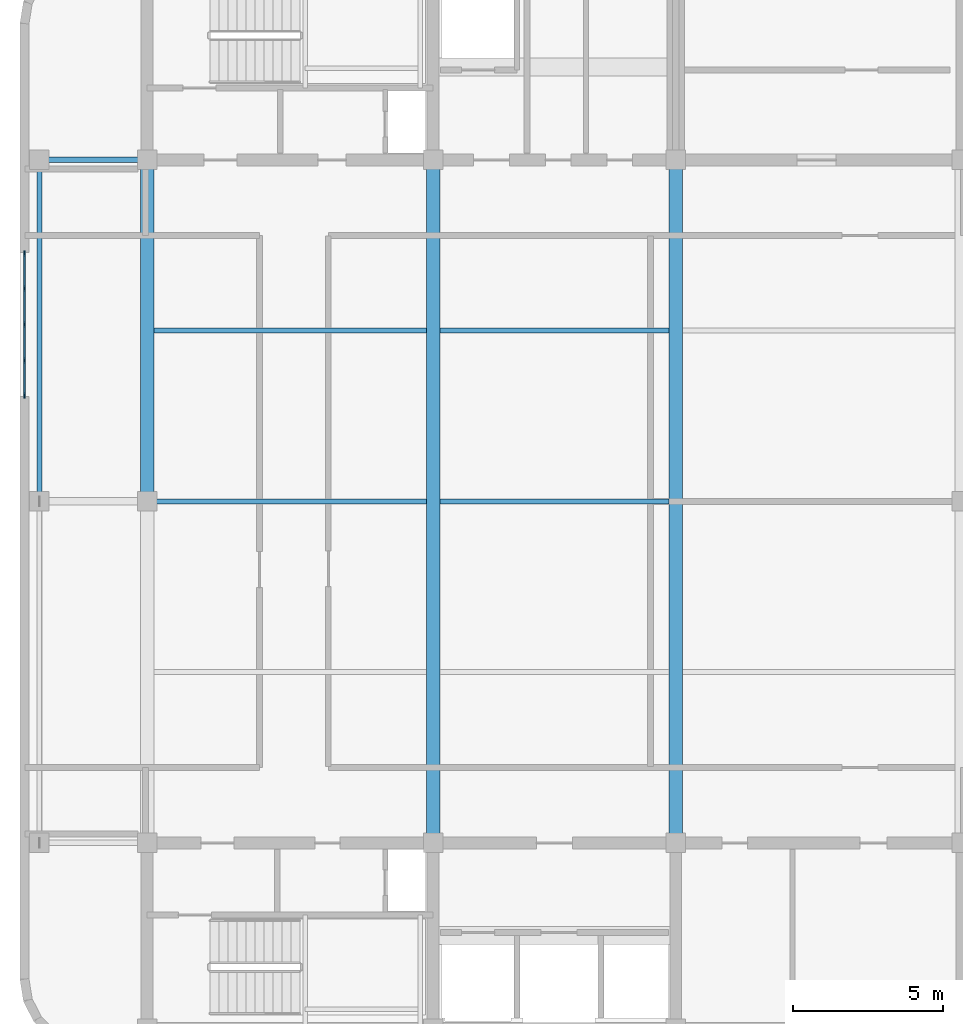
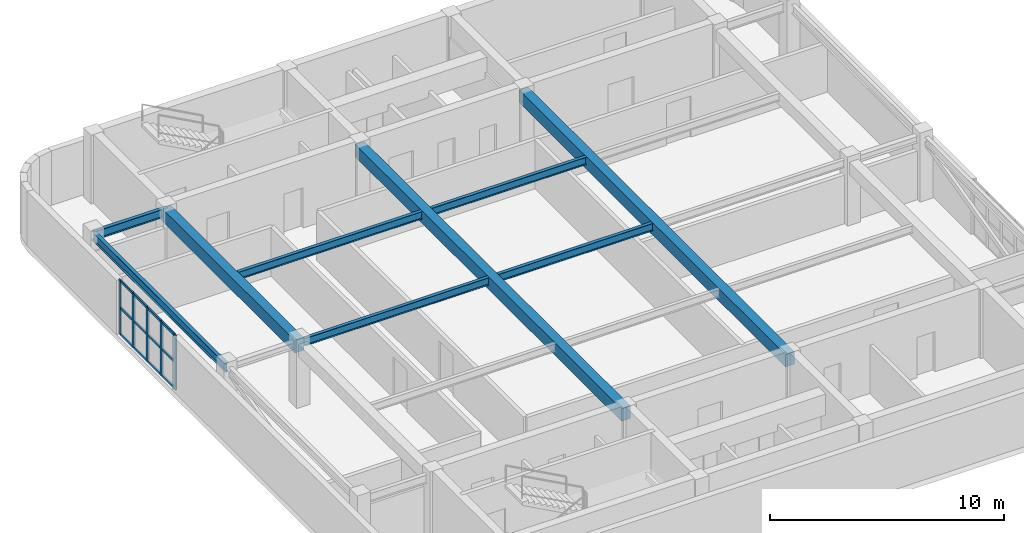
# One storey, part 2 of 9: 17 members, 9 beams, 1 element without a shape of its own.
"""IFC4 building model written with IfcOpenShell, lengths in metres."""

import ifcopenshell
import ifcopenshell.guid

model = None  # the IFC model being written
_history = None  # IfcOwnerHistory: only IFC2X3 demands one
_inside = {}  # id of a spatial element -> (the spatial element, [elements in it])
_under = {}  # id of a project, library or spatial element -> (it, [spatial elements below it])
_declared = {}  # id of a project -> (the project, [libraries it declares])
_typed = {}  # id of a type object -> (the type object, [elements of that type])
_made_of = {}  # id of a material, layer set ... -> (it, [elements and type objects made of it])


def new_model(schema):
    """Start an empty IFC model of exactly this schema.

    Asked for "IFC4X3", IfcOpenShell would pick the latest addendum, in which some entities
    have other attributes; the version numbers below select the first issue.
    IFC2X3 requires an IfcOwnerHistory on every rooted entity: one is made here for all.
    """
    global model, _history
    if schema == "IFC4X3":
        model = ifcopenshell.file(schema_version=(4, 3, 0, 0))
    else:
        model = ifcopenshell.file(schema=schema)
    _inside.clear()
    _under.clear()
    _declared.clear()
    _typed.clear()
    _made_of.clear()
    _history = None
    if model.schema == "IFC2X3":
        org = make("IfcOrganization", Name="unknown")
        user = make(
            "IfcPersonAndOrganization",
            ThePerson=make("IfcPerson", FamilyName="unknown"),
            TheOrganization=org,
        )
        app = make(
            "IfcApplication",
            ApplicationDeveloper=org,
            Version="unknown",
            ApplicationFullName="unknown",
            ApplicationIdentifier="unknown",
        )
        _history = make(
            "IfcOwnerHistory",
            OwningUser=user,
            OwningApplication=app,
            ChangeAction="ADDED",
            CreationDate=0,
        )
    return model


def make(cls, **values):
    """One entity of the class cls with the attributes given. An attribute that is None is left unset."""
    return model.create_entity(
        cls, **{name: value for name, value in values.items() if value is not None}
    )


def rooted(cls, **values):
    """An entity with a GlobalId (a new one), such as an element, a storey or a relation."""
    return make(cls, GlobalId=ifcopenshell.guid.new(), OwnerHistory=_history, **values)


def si_unit(unit_type, name, prefix=None):
    """IfcSIUnit, for example si_unit("LENGTHUNIT", "METRE", prefix="MILLI")."""
    return make("IfcSIUnit", UnitType=unit_type, Prefix=prefix, Name=name)


def assignment(units):
    """IfcUnitAssignment: the units of a project."""
    return None if units is None else make("IfcUnitAssignment", Units=units)


def point(xyz):
    """IfcCartesianPoint."""
    return None if xyz is None else make("IfcCartesianPoint", Coordinates=xyz)


def direction(xyz):
    """IfcDirection."""
    return None if xyz is None else make("IfcDirection", DirectionRatios=xyz)


def frame(location, z_axis=None, x_axis=None):
    """IfcAxis2Placement3D, a coordinate frame: its origin and axes. An axis left out is left unset."""
    return make(
        "IfcAxis2Placement3D",
        Location=point(location),
        Axis=direction(z_axis),
        RefDirection=direction(x_axis),
    )


def frame_2d(location, x_axis=None):
    """IfcAxis2Placement2D, a coordinate frame in the plane: its origin and x axis."""
    return make(
        "IfcAxis2Placement2D", Location=point(location), RefDirection=direction(x_axis)
    )


def origin():
    """The frame at (0, 0, 0) with its axes left unset."""
    return frame((0.0, 0.0, 0.0))


def origin_2d():
    """The frame at (0, 0) in the plane with its x axis left unset."""
    return frame_2d((0.0, 0.0))


def place(relative_to, where):
    """IfcLocalPlacement: puts the frame where relative to a parent placement (None: the world)."""
    return make(
        "IfcLocalPlacement", PlacementRelTo=relative_to, RelativePlacement=where
    )


def context(
    kind, dimensions, precision=None, world=None, true_north=None, identifier=None
):
    """IfcGeometricRepresentationContext, for example the 3D "Model" context."""
    return make(
        "IfcGeometricRepresentationContext",
        ContextIdentifier=identifier,
        ContextType=kind,
        CoordinateSpaceDimension=dimensions,
        Precision=precision,
        WorldCoordinateSystem=world,
        TrueNorth=true_north,
    )


def subcontext(parent, identifier, kind, view, scale=None):
    """IfcGeometricRepresentationSubContext, for example "Body" below "Model"."""
    return make(
        "IfcGeometricRepresentationSubContext",
        ContextIdentifier=identifier,
        ContextType=kind,
        ParentContext=parent,
        TargetScale=scale,
        TargetView=view,
    )


def project(units=None, contexts=None):
    """IfcProject with its units and contexts."""
    return rooted(
        "IfcProject",
        Name="project",
        RepresentationContexts=contexts,
        UnitsInContext=assignment(units),
    )


def spatial(cls, under=None, at=None, **own):
    """A site, building, storey or space (cls), placed at a placement, below another one or the project."""
    s = rooted(cls, ObjectPlacement=at, **own)
    if under is not None:
        _under.setdefault(under.id(), (under, []))[1].append(s)
    return s


def profile(cls, at=None, kind="AREA", **sizes):
    """A parametric profile (cls). Its sizes go by their IFC names, for example OverallWidth=200.0."""
    return make(cls, ProfileType=kind, Position=at, **sizes)


def rectangle(**sizes):
    """IfcRectangleProfileDef."""
    return profile("IfcRectangleProfileDef", **sizes)


def i_section(**sizes):
    """IfcIShapeProfileDef."""
    return profile("IfcIShapeProfileDef", **sizes)


def extrude(swept, where, along, depth):
    """IfcExtrudedAreaSolid: the profile swept, set in the frame where, extruded along a direction by depth."""
    return make(
        "IfcExtrudedAreaSolid",
        SweptArea=swept,
        Position=where,
        ExtrudedDirection=direction(along),
        Depth=depth,
    )


def shape(context_of_items, identifier, shape_type, items):
    """IfcShapeRepresentation: the items that make up one representation, for example the "Body"."""
    return make(
        "IfcShapeRepresentation",
        ContextOfItems=context_of_items,
        RepresentationIdentifier=identifier,
        RepresentationType=shape_type,
        Items=items,
    )


def material(Name=None, Category=None):
    """IfcMaterial."""
    return make("IfcMaterial", Name=Name, Category=Category)


def material_profile(
    of_material, cross_section, Name=None, Category=None, Priority=None
):
    """IfcMaterialProfile: a cross section and its material."""
    return make(
        "IfcMaterialProfile",
        Name=Name,
        Material=of_material,
        Profile=cross_section,
        Priority=Priority,
        Category=Category,
    )


def profile_set(profiles, Name=None, composite=None):
    """IfcMaterialProfileSet."""
    return make(
        "IfcMaterialProfileSet",
        Name=Name,
        MaterialProfiles=profiles,
        CompositeProfile=composite,
    )


def made_of(thing, what):
    """Note that an element or type object is made of a material, layer set ...; save() writes the relation."""
    if what is not None:
        _made_of.setdefault(what.id(), (what, []))[1].append(thing)
    return thing


def type_object(cls, material=None, **own):
    """A type object (cls), such as IfcWallType, which elements share."""
    return made_of(rooted(cls, **own), material)


def element(
    cls,
    number,
    at=None,
    inside=None,
    cuts=None,
    type_object=None,
    material=None,
    context=None,
    identifier="Body",
    shape_type=None,
    held_by="IfcProductDefinitionShape",
    body=None,
    shapes=None,
    **own,
):
    """One element of the class cls, such as IfcWall. Its Tag is "e" and its number.

    at: its placement. inside: the storey or other place that contains it. cuts: it is an
    opening in that element (IfcRelVoidsElement). A single representation is given by context,
    identifier, shape_type and body (its items); several are given by shapes. held_by: the class
    of the entity that holds the representations. save() writes the other relations.
    """
    e = rooted(cls, Tag="e%d" % number, ObjectPlacement=at, **own)
    if body is not None:
        shapes = [shape(context, identifier, shape_type, body)]
    if shapes is not None:
        e.Representation = make(held_by, Representations=shapes)
    if inside is not None:
        _inside.setdefault(inside.id(), (inside, []))[1].append(e)
    if cuts is not None:
        rooted(
            "IfcRelVoidsElement", RelatingBuildingElement=cuts, RelatedOpeningElement=e
        )
    if type_object is not None:
        _typed.setdefault(type_object.id(), (type_object, []))[1].append(e)
    return made_of(e, material)


def aggregate(whole, parts):
    """IfcRelAggregates: a whole, such as a stair, and the parts it consists of."""
    return rooted("IfcRelAggregates", RelatingObject=whole, RelatedObjects=parts)


def save(model, path):
    """Write the relations noted so far, then the file.

    IfcRelAggregates (storeys below a building ...), IfcRelContainedInSpatialStructure (elements
    in a storey), IfcRelDefinesByType, IfcRelAssociatesMaterial and IfcRelDeclares: one each for
    every whole, place, type object, material and project.
    """
    for whole, parts in _under.values():
        aggregate(whole, parts)
    for where, things in _inside.values():
        rooted(
            "IfcRelContainedInSpatialStructure",
            RelatedElements=things,
            RelatingStructure=where,
        )
    for kind, things in _typed.values():
        rooted("IfcRelDefinesByType", RelatedObjects=things, RelatingType=kind)
    for what, things in _made_of.values():
        rooted("IfcRelAssociatesMaterial", RelatedObjects=things, RelatingMaterial=what)
    for by, libraries in _declared.values():
        rooted("IfcRelDeclares", RelatingContext=by, RelatedDefinitions=libraries)
    model.write(path)


model = new_model("IFC4")

# Units and contexts
model_context = context("Model", 3, precision=1e-05, world=origin(), true_north=direction((0.0, 1.0)))
body_context = subcontext(model_context, "Body", "Model", "MODEL_VIEW")
ifc_project = project(units=[si_unit("LENGTHUNIT", "METRE"), si_unit("AREAUNIT", "SQUARE_METRE"), si_unit("VOLUMEUNIT", "CUBIC_METRE"), si_unit("PLANEANGLEUNIT", "RADIAN"), si_unit("MASSUNIT", "GRAM", prefix="KILO")], contexts=[model_context])

# Site, building, storey
site_placement = place(None, origin())
site = spatial("IfcSite", under=ifc_project, at=site_placement, CompositionType="ELEMENT")
building_placement = place(site_placement, origin())
building = spatial("IfcBuilding", under=site, at=building_placement, Name="Svetorya Sky Lyceum", CompositionType="ELEMENT")
storey_placement = place(building_placement, frame((0.0, 0.0, 312.800048828125)))
storey = spatial("IfcBuildingStorey", under=building, at=storey_placement, Name="C04", CompositionType="ELEMENT", Elevation=312.800048828125)

# Beams
ifc_material_1 = material(Name="Concrete C40/50", Category="concrete")
ifc_material_profile_1 = material_profile(ifc_material_1, rectangle(XDim=0.449951171875, YDim=0.64990234375, at=origin_2d()), Name="RC BEAM 450x650")
ifc_profile_set_1 = profile_set([ifc_material_profile_1], Name="Concrete C40/50")
beam_type_1 = type_object("IfcBeamType", Name="BM-RC-650", PredefinedType="BEAM", material=ifc_profile_set_1)
beam_1_placement = place(storey_placement, frame((25.60009765625, 28.199951171875, 2.994873046875), z_axis=(0.0, 1.0, 0.0), x_axis=(-1.0, 0.0, 0.0)))
element("IfcBeam", 1, at=beam_1_placement, inside=storey, type_object=beam_type_1, Name="C04 Central Bay Primary Girder CG-1B", PredefinedType="BEAM", context=body_context, shape_type="SweptSolid", body=[
    extrude(rectangle(XDim=0.449951171875, YDim=0.64990234375, at=origin_2d()), origin(), (0.0, 0.0, 1.0), 11.400146484375),
])
for number, where, z_axis, x_axis, name in (
    (2, (35.14990234375, 16.800048828125, 2.994873046875), (0.0, 1.0, 0.0), (-1.0, 0.0, 0.0), "C04 Central Bay Primary Girder CG-2"),
    (3, (43.25, 16.800048828125, 2.994873046875), (0.0, 1.0, 0.0), (-1.0, 0.0, 0.0), "C04 Central Bay Primary Girder CG-3"),
):
    element("IfcBeam", number, at=place(storey_placement, frame(where, z_axis=z_axis, x_axis=x_axis)), inside=storey, type_object=beam_type_1, Name=name, PredefinedType="BEAM", context=body_context, shape_type="SweptSolid", body=[
        extrude(rectangle(XDim=0.449951171875, YDim=0.64990234375, at=origin_2d()), origin(), (0.0, 0.0, 1.0), 22.800048828125),
    ])
ifc_material_2 = material(Name="Steel S355", Category="steel")
ifc_material_profile_2 = material_profile(ifc_material_2, i_section(OverallWidth=0.1650390625, OverallDepth=0.39990234375, WebThickness=0.008056640625, FlangeThickness=0.012939453125, at=origin_2d()), Name="GOST 40B2")
ifc_profile_set_2 = profile_set([ifc_material_profile_2], Name="Steel S355")
beam_type_2 = type_object("IfcBeamType", Name="BM-STL-40B2", PredefinedType="JOIST", material=ifc_profile_set_2)
beam_2_placement = place(storey_placement, frame((25.824951171875, 28.199951171875, 3.119873046875), z_axis=(1.0, 0.0, 0.0), x_axis=(0.0, 1.0, 0.0)))
element("IfcBeam", 4, at=beam_2_placement, inside=storey, type_object=beam_type_2, Name="C04 Central Floor Joist CJ-2.1", PredefinedType="JOIST", context=body_context, shape_type="SweptSolid", body=[
    extrude(i_section(OverallWidth=0.1650390625, OverallDepth=0.39990234375, WebThickness=0.008056640625, FlangeThickness=0.012939453125, at=origin_2d()), origin(), (0.0, 0.0, 1.0), 9.10009765625),
])
beam_3_placement = place(storey_placement, frame((35.375, 28.199951171875, 3.119873046875), z_axis=(1.0, 0.0, 0.0), x_axis=(0.0, 1.0, 0.0)))
element("IfcBeam", 5, at=beam_3_placement, inside=storey, type_object=beam_type_2, Name="C04 Central Floor Joist CJ-2.2", PredefinedType="JOIST", context=body_context, shape_type="SweptSolid", body=[
    extrude(i_section(OverallWidth=0.1650390625, OverallDepth=0.39990234375, WebThickness=0.008056640625, FlangeThickness=0.012939453125, at=origin_2d()), origin(), (0.0, 0.0, 1.0), 7.64990234375),
])
beam_4_placement = place(storey_placement, frame((25.824951171875, 33.89990234375, 3.119873046875), z_axis=(1.0, 0.0, 0.0), x_axis=(0.0, 1.0, 0.0)))
element("IfcBeam", 6, at=beam_4_placement, inside=storey, type_object=beam_type_2, Name="C04 Central Floor Joist CJ-3.1", PredefinedType="JOIST", context=body_context, shape_type="SweptSolid", body=[
    extrude(i_section(OverallWidth=0.1650390625, OverallDepth=0.39990234375, WebThickness=0.008056640625, FlangeThickness=0.012939453125, at=origin_2d()), origin(), (0.0, 0.0, 1.0), 9.10009765625),
])
beam_5_placement = place(storey_placement, frame((35.375, 33.89990234375, 3.119873046875), z_axis=(1.0, 0.0, 0.0), x_axis=(0.0, 1.0, 0.0)))
element("IfcBeam", 7, at=beam_5_placement, inside=storey, type_object=beam_type_2, Name="C04 Central Floor Joist CJ-3.2", PredefinedType="JOIST", context=body_context, shape_type="SweptSolid", body=[
    extrude(i_section(OverallWidth=0.1650390625, OverallDepth=0.39990234375, WebThickness=0.008056640625, FlangeThickness=0.012939453125, at=origin_2d()), origin(), (0.0, 0.0, 1.0), 7.64990234375),
])
ifc_material_profile_3 = material_profile(ifc_material_2, i_section(OverallWidth=0.179931640625, OverallDepth=0.449951171875, WebThickness=0.009033203125, FlangeThickness=0.014404296875, at=origin_2d()), Name="GOST 45B2")
ifc_profile_set_3 = profile_set([ifc_material_profile_3], Name="Steel S355")
beam_type_3 = type_object("IfcBeamType", Name="BM-STL-45B2", PredefinedType="SPANDREL", material=ifc_profile_set_3)
beam_6_placement = place(storey_placement, frame((22.010009765625, 39.60009765625, 3.094970703125), z_axis=(1.0, 0.0, 0.0), x_axis=(0.0, 1.0, 0.0)))
element("IfcBeam", 8, at=beam_6_placement, inside=storey, type_object=beam_type_3, Name="C04 Tie Spandrel NW", PredefinedType="SPANDREL", context=body_context, shape_type="SweptSolid", body=[
    extrude(i_section(OverallWidth=0.179931640625, OverallDepth=0.449951171875, WebThickness=0.009033203125, FlangeThickness=0.014404296875, at=origin_2d()), origin(), (0.0, 0.0, 1.0), 3.590087890625),
])
beam_7_placement = place(storey_placement, frame((22.010009765625, 28.199951171875, 3.094970703125), z_axis=(0.0, 1.0, 0.0), x_axis=(-1.0, 0.0, 0.0)))
element("IfcBeam", 9, at=beam_7_placement, inside=storey, type_object=beam_type_3, Name="C04 West Spandrel 2", PredefinedType="SPANDREL", context=body_context, shape_type="SweptSolid", body=[
    extrude(i_section(OverallWidth=0.179931640625, OverallDepth=0.449951171875, WebThickness=0.009033203125, FlangeThickness=0.014404296875, at=origin_2d()), origin(), (0.0, 0.0, 1.0), 11.400146484375),
])

# Curtain wall, members
ifc_material_3 = material(Name="Thermally broken anodized aluminium and triple low-E glass", Category="aluminium")
curtain_wall_type = type_object("IfcCurtainWallType", Name="CW5-LVR-PLT", PredefinedType="NOTDEFINED", material=ifc_material_3)
curtain_wall_placement = place(storey_placement, origin())
curtain_wall = element("IfcCurtainWall", 10, at=curtain_wall_placement, inside=storey, type_object=curtain_wall_type, Name="C04 Acoustic Plant Louvre Curtain Wall 24", PredefinedType="NOTDEFINED")
ifc_material_4 = material(Name="Thermally broken anodized aluminium EN AW-6060", Category="aluminium")
ifc_material_profile_4 = material_profile(ifc_material_4, rectangle(XDim=0.06494140625, YDim=0.179931640625, at=origin_2d()), Name="ALU MULLION 65x180")
ifc_profile_set_4 = profile_set([ifc_material_profile_4], Name="Thermally broken anodized aluminium EN AW-6060")
member_type_1 = type_object("IfcMemberType", Name="CWM-MUL-180", PredefinedType="MULLION", material=ifc_profile_set_4)
member_1_placement = place(storey_placement, frame((21.510009765625, 36.467529296875, 0.0), z_axis=(0.0, 0.0, 1.0), x_axis=(1.0, 0.0, 0.0)))
member_1 = element("IfcMember", 11, at=member_1_placement, type_object=member_type_1, Name="CW-5 mullion 1", PredefinedType="MULLION", context=body_context, shape_type="SweptSolid", body=[
    extrude(rectangle(XDim=0.06494140625, YDim=0.179931640625, at=origin_2d()), origin(), (0.0, 0.0, 1.0), 2.83984375),
])
member_2_placement = place(storey_placement, frame((21.510009765625, 35.300048828125, 0.0), z_axis=(0.0, 0.0, 1.0), x_axis=(1.0, 0.0, 0.0)))
member_2 = element("IfcMember", 12, at=member_2_placement, type_object=member_type_1, Name="CW-5 mullion 2", PredefinedType="MULLION", context=body_context, shape_type="SweptSolid", body=[
    extrude(rectangle(XDim=0.06494140625, YDim=0.179931640625, at=origin_2d()), origin(), (0.0, 0.0, 1.0), 2.83984375),
])
member_3_placement = place(storey_placement, frame((21.510009765625, 34.10009765625, 0.0), z_axis=(0.0, 0.0, 1.0), x_axis=(1.0, 0.0, 0.0)))
member_3 = element("IfcMember", 13, at=member_3_placement, type_object=member_type_1, Name="CW-5 mullion 3", PredefinedType="MULLION", context=body_context, shape_type="SweptSolid", body=[
    extrude(rectangle(XDim=0.06494140625, YDim=0.179931640625, at=origin_2d()), origin(), (0.0, 0.0, 1.0), 2.83984375),
])
member_4_placement = place(storey_placement, frame((21.510009765625, 32.89990234375, 0.0), z_axis=(0.0, 0.0, 1.0), x_axis=(1.0, 0.0, 0.0)))
member_4 = element("IfcMember", 14, at=member_4_placement, type_object=member_type_1, Name="CW-5 mullion 4", PredefinedType="MULLION", context=body_context, shape_type="SweptSolid", body=[
    extrude(rectangle(XDim=0.06494140625, YDim=0.179931640625, at=origin_2d()), origin(), (0.0, 0.0, 1.0), 2.83984375),
])
member_5_placement = place(storey_placement, frame((21.510009765625, 31.732421875, 0.0), z_axis=(0.0, 0.0, 1.0), x_axis=(1.0, 0.0, 0.0)))
member_5 = element("IfcMember", 15, at=member_5_placement, type_object=member_type_1, Name="CW-5 mullion 5", PredefinedType="MULLION", context=body_context, shape_type="SweptSolid", body=[
    extrude(rectangle(XDim=0.06494140625, YDim=0.179931640625, at=origin_2d()), origin(), (0.0, 0.0, 1.0), 2.83984375),
])
ifc_material_profile_5 = material_profile(ifc_material_4, rectangle(XDim=0.06494140625, YDim=0.139892578125, at=origin_2d()), Name="ALU TRANSOM 65x140")
ifc_profile_set_5 = profile_set([ifc_material_profile_5], Name="Thermally broken anodized aluminium EN AW-6060")
member_type_2 = type_object("IfcMemberType", Name="CWM-TRN-140", PredefinedType="USERDEFINED", material=ifc_profile_set_5)
member_6_placement = place(storey_placement, frame((21.510009765625, 36.4365234375, 0.032470703125), z_axis=(0.0, -1.0, 0.0), x_axis=(1.0, 0.0, 0.0)))
member_6 = element("IfcMember", 16, at=member_6_placement, type_object=member_type_2, Name="CW-5 transom 1.1", ObjectType="TRANSOM", PredefinedType="USERDEFINED", context=body_context, shape_type="SweptSolid", body=[
    extrude(rectangle(XDim=0.06494140625, YDim=0.139892578125, at=origin_2d()), origin(), (0.0, 0.0, 1.0), 1.10546875),
])
member_7_placement = place(storey_placement, frame((21.510009765625, 36.4365234375, 1.419921875), z_axis=(0.0, -1.0, 0.0), x_axis=(1.0, 0.0, 0.0)))
member_7 = element("IfcMember", 17, at=member_7_placement, type_object=member_type_2, Name="CW-5 transom 1.2", ObjectType="TRANSOM", PredefinedType="USERDEFINED", context=body_context, shape_type="SweptSolid", body=[
    extrude(rectangle(XDim=0.06494140625, YDim=0.139892578125, at=origin_2d()), origin(), (0.0, 0.0, 1.0), 1.10546875),
])
member_8_placement = place(storey_placement, frame((21.510009765625, 36.4365234375, 2.807373046875), z_axis=(0.0, -1.0, 0.0), x_axis=(1.0, 0.0, 0.0)))
member_8 = element("IfcMember", 18, at=member_8_placement, type_object=member_type_2, Name="CW-5 transom 1.3", ObjectType="TRANSOM", PredefinedType="USERDEFINED", context=body_context, shape_type="SweptSolid", body=[
    extrude(rectangle(XDim=0.06494140625, YDim=0.139892578125, at=origin_2d()), origin(), (0.0, 0.0, 1.0), 1.10546875),
])
member_9_placement = place(storey_placement, frame((21.510009765625, 35.26904296875, 0.032470703125), z_axis=(0.0, -1.0, 0.0), x_axis=(1.0, 0.0, 0.0)))
member_9 = element("IfcMember", 19, at=member_9_placement, type_object=member_type_2, Name="CW-5 transom 2.1", ObjectType="TRANSOM", PredefinedType="USERDEFINED", context=body_context, shape_type="SweptSolid", body=[
    extrude(rectangle(XDim=0.06494140625, YDim=0.139892578125, at=origin_2d()), origin(), (0.0, 0.0, 1.0), 1.137939453125),
])
member_10_placement = place(storey_placement, frame((21.510009765625, 35.26904296875, 1.419921875), z_axis=(0.0, -1.0, 0.0), x_axis=(1.0, 0.0, 0.0)))
member_10 = element("IfcMember", 20, at=member_10_placement, type_object=member_type_2, Name="CW-5 transom 2.2", ObjectType="TRANSOM", PredefinedType="USERDEFINED", context=body_context, shape_type="SweptSolid", body=[
    extrude(rectangle(XDim=0.06494140625, YDim=0.139892578125, at=origin_2d()), origin(), (0.0, 0.0, 1.0), 1.137939453125),
])
member_11_placement = place(storey_placement, frame((21.510009765625, 35.26904296875, 2.807373046875), z_axis=(0.0, -1.0, 0.0), x_axis=(1.0, 0.0, 0.0)))
member_11 = element("IfcMember", 21, at=member_11_placement, type_object=member_type_2, Name="CW-5 transom 2.3", ObjectType="TRANSOM", PredefinedType="USERDEFINED", context=body_context, shape_type="SweptSolid", body=[
    extrude(rectangle(XDim=0.06494140625, YDim=0.139892578125, at=origin_2d()), origin(), (0.0, 0.0, 1.0), 1.137939453125),
])
member_12_placement = place(storey_placement, frame((21.510009765625, 34.069091796875, 0.032470703125), z_axis=(0.0, -1.0, 0.0), x_axis=(1.0, 0.0, 0.0)))
member_12 = element("IfcMember", 22, at=member_12_placement, type_object=member_type_2, Name="CW-5 transom 3.1", ObjectType="TRANSOM", PredefinedType="USERDEFINED", context=body_context, shape_type="SweptSolid", body=[
    extrude(rectangle(XDim=0.06494140625, YDim=0.139892578125, at=origin_2d()), origin(), (0.0, 0.0, 1.0), 1.13818359375),
])
member_13_placement = place(storey_placement, frame((21.510009765625, 34.069091796875, 1.419921875), z_axis=(0.0, -1.0, 0.0), x_axis=(1.0, 0.0, 0.0)))
member_13 = element("IfcMember", 23, at=member_13_placement, type_object=member_type_2, Name="CW-5 transom 3.2", ObjectType="TRANSOM", PredefinedType="USERDEFINED", context=body_context, shape_type="SweptSolid", body=[
    extrude(rectangle(XDim=0.06494140625, YDim=0.139892578125, at=origin_2d()), origin(), (0.0, 0.0, 1.0), 1.13818359375),
])
member_14_placement = place(storey_placement, frame((21.510009765625, 34.069091796875, 2.807373046875), z_axis=(0.0, -1.0, 0.0), x_axis=(1.0, 0.0, 0.0)))
member_14 = element("IfcMember", 24, at=member_14_placement, type_object=member_type_2, Name="CW-5 transom 3.3", ObjectType="TRANSOM", PredefinedType="USERDEFINED", context=body_context, shape_type="SweptSolid", body=[
    extrude(rectangle(XDim=0.06494140625, YDim=0.139892578125, at=origin_2d()), origin(), (0.0, 0.0, 1.0), 1.13818359375),
])
member_15_placement = place(storey_placement, frame((21.510009765625, 32.868896484375, 0.032470703125), z_axis=(0.0, -1.0, 0.0), x_axis=(1.0, 0.0, 0.0)))
member_15 = element("IfcMember", 25, at=member_15_placement, type_object=member_type_2, Name="CW-5 transom 4.1", ObjectType="TRANSOM", PredefinedType="USERDEFINED", context=body_context, shape_type="SweptSolid", body=[
    extrude(rectangle(XDim=0.06494140625, YDim=0.139892578125, at=origin_2d()), origin(), (0.0, 0.0, 1.0), 1.10546875),
])
member_16_placement = place(storey_placement, frame((21.510009765625, 32.868896484375, 1.419921875), z_axis=(0.0, -1.0, 0.0), x_axis=(1.0, 0.0, 0.0)))
member_16 = element("IfcMember", 26, at=member_16_placement, type_object=member_type_2, Name="CW-5 transom 4.2", ObjectType="TRANSOM", PredefinedType="USERDEFINED", context=body_context, shape_type="SweptSolid", body=[
    extrude(rectangle(XDim=0.06494140625, YDim=0.139892578125, at=origin_2d()), origin(), (0.0, 0.0, 1.0), 1.10546875),
])
member_17_placement = place(storey_placement, frame((21.510009765625, 32.868896484375, 2.807373046875), z_axis=(0.0, -1.0, 0.0), x_axis=(1.0, 0.0, 0.0)))
member_17 = element("IfcMember", 27, at=member_17_placement, type_object=member_type_2, Name="CW-5 transom 4.3", ObjectType="TRANSOM", PredefinedType="USERDEFINED", context=body_context, shape_type="SweptSolid", body=[
    extrude(rectangle(XDim=0.06494140625, YDim=0.139892578125, at=origin_2d()), origin(), (0.0, 0.0, 1.0), 1.10546875),
])
aggregate(curtain_wall, [member_1, member_2, member_3, member_4, member_5, member_6, member_7, member_8, member_9, member_10, member_11, member_12, member_13, member_14, member_15, member_16, member_17])

save(model, "model.ifc")
